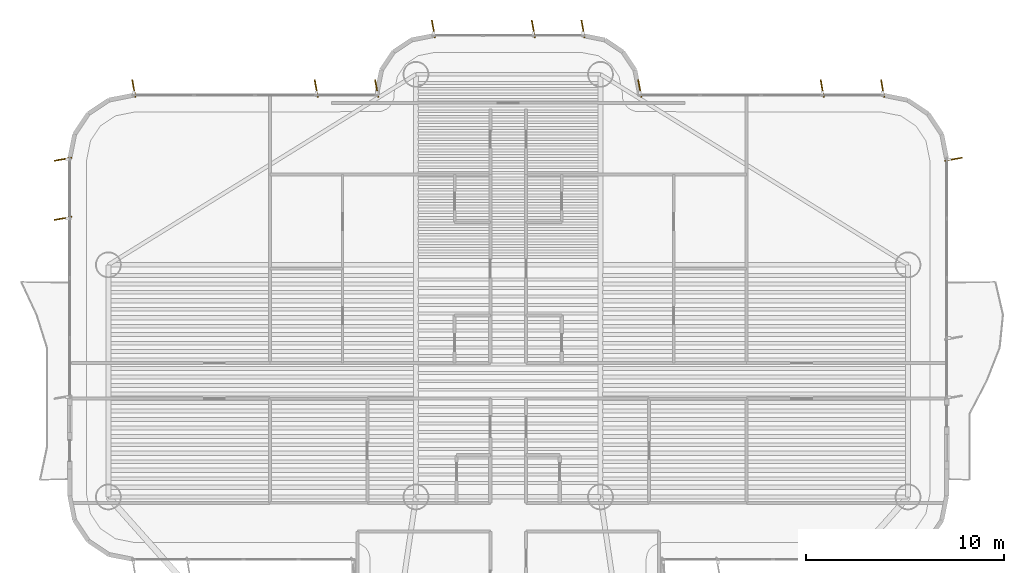
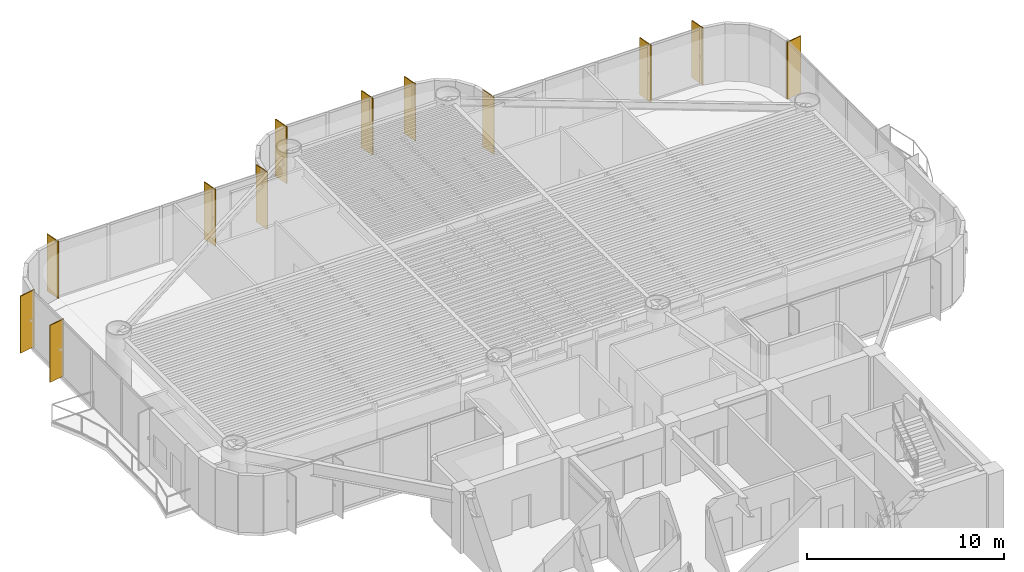
# One storey, part 17 of 17: 12 shading devices.
"""IFC4 building model written with IfcOpenShell, lengths in metres."""

from ifc_helpers import new_model, si_unit, direction, frame, origin, origin_2d, place, context, subcontext, project, spatial, rectangle, extrude, source, transform, mapped, material, material_profile, profile_set, type_object, element, save


model = new_model("IFC4")

# Units and contexts
model_context = context("Model", 3, precision=1e-05, world=origin(), true_north=direction((0.0, 1.0)))
body_context = subcontext(model_context, "Body", "Model", "MODEL_VIEW")
ifc_project = project(units=[si_unit("LENGTHUNIT", "METRE"), si_unit("AREAUNIT", "SQUARE_METRE"), si_unit("VOLUMEUNIT", "CUBIC_METRE"), si_unit("PLANEANGLEUNIT", "RADIAN"), si_unit("MASSUNIT", "GRAM", prefix="KILO")], contexts=[model_context])

# Site, building, storey
site_placement = place(None, origin())
site = spatial("IfcSite", under=ifc_project, at=site_placement, CompositionType="ELEMENT")
building_placement = place(site_placement, origin())
building = spatial("IfcBuilding", under=site, at=building_placement, Name="Brelvock Crest Care Tower", CompositionType="ELEMENT")
storey_placement = place(building_placement, frame((0.0, 0.0, 97.3798828125)))
storey = spatial("IfcBuildingStorey", under=building, at=storey_placement, Name="L24", CompositionType="ELEMENT", Elevation=97.3798828125)

# Shading devices
ifc_material = material(Name="Aluminium 6063-T6", Category="aluminium")
ifc_material_profile = material_profile(ifc_material, rectangle(XDim=0.054931640625, YDim=0.89990234375, at=origin_2d()), Name="FIN55x900")
ifc_profile_set = profile_set([ifc_material_profile], Name="Aluminium 6063-T6")
shading_device_type = type_object("IfcShadingDeviceType", Name="SHD-FIN1", PredefinedType="USERDEFINED", material=ifc_profile_set)
shared_shape = source(origin(), body_context, "Body", "SweptSolid", [
    extrude(rectangle(XDim=0.054931640625, YDim=0.89990234375, at=origin_2d()), origin(), (0.0, 0.0, 1.0), 3.530029296875),
])
for number, where, z_axis, x_axis, name in (
    (1, (13.56005859375, 41.1875, 0.0), (0.0, 0.0, 1.0), (-0.173648177667, 0.984807753012, 0.0), "L24 Vertical Sunshade Fin E17B-04"),
    (2, (13.56005859375, 44.169921875, 0.0), (0.0, 0.0, 1.0), (-0.173648177667, 0.984807753012, 0.0), "L24 Vertical Sunshade Fin E17B-05"),
    (3, (17.1298828125, 47.739990234375, 0.0), (0.0, 0.0, 1.0), (0.984807753012, 0.173648177667, 0.0), "L24 Vertical Sunshade Fin E22-01"),
    (4, (26.324951171875, 47.739990234375, 0.0), (0.0, 0.0, 1.0), (0.984807753012, 0.173648177667, 0.0), "L24 Vertical Sunshade Fin E22-04"),
    (5, (29.3701171875, 47.739990234375, 0.0), (0.0, 0.0, 1.0), (0.984807753012, 0.173648177667, 0.0), "L24 Vertical Sunshade Fin E22-05"),
    (6, (32.22998046875, 50.739990234375, 0.0), (0.0, 0.0, 1.0), (0.984807753012, 0.173648177667, 0.0), "L24 Vertical Sunshade Fin E28-01"),
    (7, (37.2666015625, 50.739990234375, 0.0), (0.0, 0.0, 1.0), (0.984807753012, 0.173648177667, 0.0), "L24 Vertical Sunshade Fin E28-03"),
    (8, (39.77001953125, 50.739990234375, 0.0), (0.0, 0.0, 1.0), (0.984807753012, 0.173648177667, 0.0), "L24 Vertical Sunshade Fin E28-04"),
    (9, (42.6298828125, 47.739990234375, 0.0), (0.0, 0.0, 1.0), (0.984807753012, 0.173648177667, 0.0), "L24 Vertical Sunshade Fin E34-01"),
    (10, (51.824951171875, 47.739990234375, 0.0), (0.0, 0.0, 1.0), (0.984807753012, 0.173648177667, 0.0), "L24 Vertical Sunshade Fin E34-04"),
    (11, (54.8701171875, 47.739990234375, 0.0), (0.0, 0.0, 1.0), (0.984807753012, 0.173648177667, 0.0), "L24 Vertical Sunshade Fin E34-05"),
    (12, (58.43994140625, 44.169921875, 0.0), (0.0, 0.0, 1.0), (0.173648177667, -0.984807753012, 0.0), "L24 Vertical Sunshade Fin E39A-01"),
):
    element("IfcShadingDevice", number, at=place(storey_placement, frame(where, z_axis=z_axis, x_axis=x_axis)), inside=storey, type_object=shading_device_type, Name=name, ObjectType="FIN", PredefinedType="USERDEFINED", context=body_context, shape_type="MappedRepresentation", body=[
        mapped(shared_shape, transform((0.0, 0.0, 0.0), x_axis=(1.0, 0.0, 0.0), y_axis=(0.0, 1.0, 0.0), z_axis=(0.0, 0.0, 1.0), scale=1.0)),
    ])

save(model, "model.ifc")
